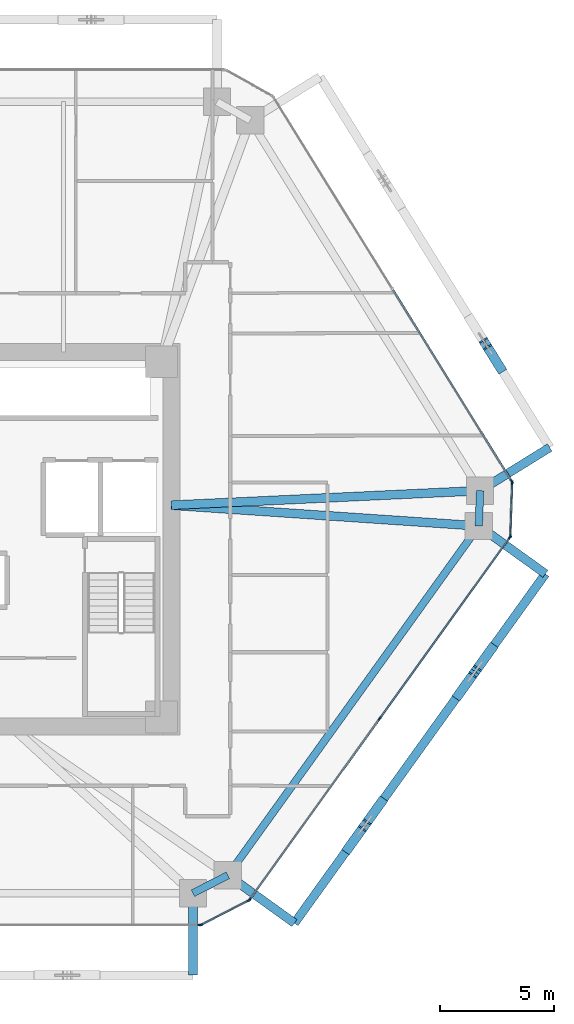
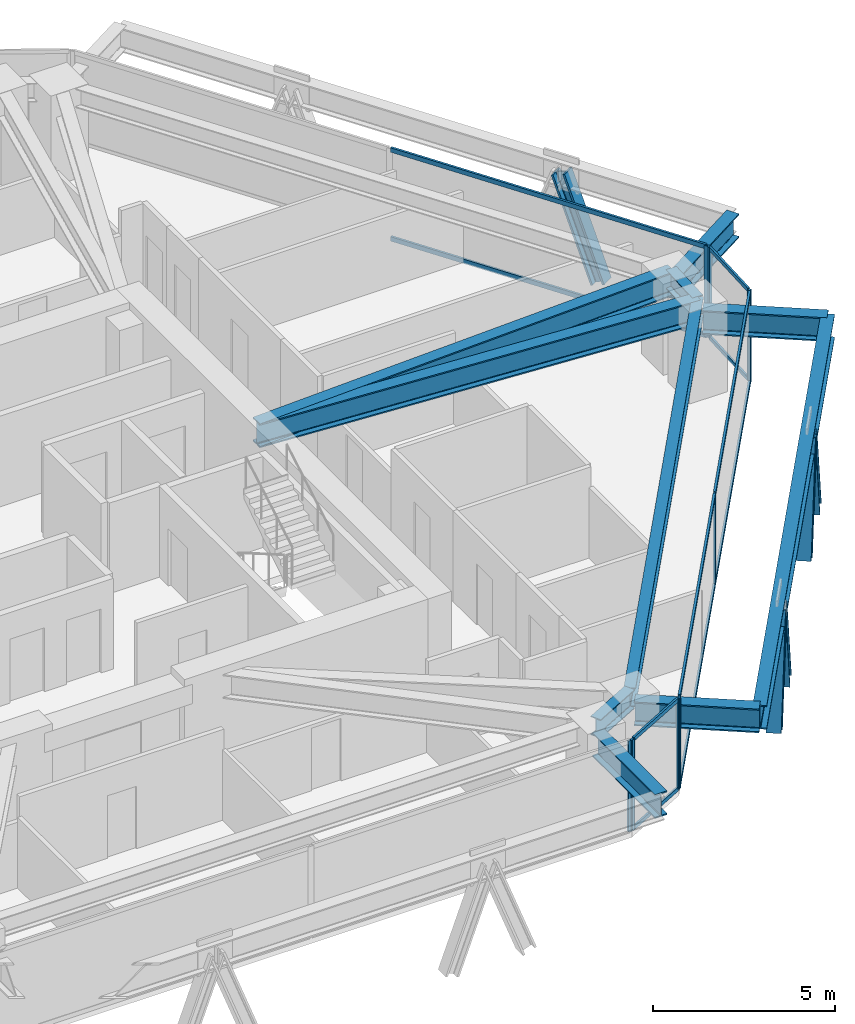
# One storey, part 5 of 16: 24 members, 10 beams, 5 elements without a shape of their own.
"""IFC4 building model written with IfcOpenShell, lengths in metres."""

from ifc_helpers import new_model, si_unit, direction, frame, origin, origin_2d, place, context, subcontext, project, spatial, rectangle, i_section, extrude, source, transform, mapped, material, layer, layer_set, material_profile, profile_set, type_object, type_shapes, element, aggregate, save


model = new_model("IFC4")

# Units and contexts
model_context = context("Model", 3, precision=1e-05, world=origin(), true_north=direction((0.0, 1.0)))
body_context = subcontext(model_context, "Body", "Model", "MODEL_VIEW")
ifc_project = project(units=[si_unit("LENGTHUNIT", "METRE"), si_unit("AREAUNIT", "SQUARE_METRE"), si_unit("VOLUMEUNIT", "CUBIC_METRE"), si_unit("PLANEANGLEUNIT", "RADIAN"), si_unit("MASSUNIT", "GRAM", prefix="KILO")], contexts=[model_context])

# Site, building, storey
site_placement = place(None, origin())
site = spatial("IfcSite", under=ifc_project, at=site_placement, CompositionType="ELEMENT")
building_placement = place(site_placement, origin())
building = spatial("IfcBuilding", under=site, at=building_placement, Name="Durnholm Broadcast Tower", CompositionType="ELEMENT")
storey_placement = place(building_placement, frame((0.0, 0.0, 117.300048828125)))
storey = spatial("IfcBuildingStorey", under=building, at=storey_placement, Name="L31", CompositionType="ELEMENT", Elevation=117.300048828125)

# Beams
ifc_material_1 = material(Name="Steel ASTM A992 Grade 50", Category="steel")
ifc_material_profile_1 = material_profile(ifc_material_1, i_section(OverallWidth=0.385009765625, OverallDepth=0.802978515625, WebThickness=0.023681640625, FlangeThickness=0.0419921875, FilletRadius=0.032958984375, at=origin_2d()), Name="W30X261")
ifc_profile_set_1 = profile_set([ifc_material_profile_1], Name="Steel ASTM A992 Grade 50")
beam_type_1 = type_object("IfcBeamType", Name="BM-EXO-TIE", PredefinedType="USERDEFINED", material=ifc_profile_set_1)
shared_shape_1 = source(origin(), body_context, "Body", "SweptSolid", [
    extrude(i_section(OverallWidth=0.385009765625, OverallDepth=0.802978515625, WebThickness=0.023681640625, FlangeThickness=0.0419921875, FilletRadius=0.032958984375, at=origin_2d()), origin(), (0.0, 0.0, 1.0), 3.4560546875),
])
for number, where, z_axis, x_axis, name in (
    (1, (11.176025390625, -15.680908203125, 2.30859375), (0.0, -1.0, 0.0), (1.0, 0.0, 0.0), "L31 exoskeleton stand-off tie bracket F1.2"),
    (2, (12.826904296875, -14.834228515625, 2.30859375), (0.812164951739, -0.583427880005, 0.0), (0.583427880005, 0.812164951739, 0.0), "L31 exoskeleton stand-off tie bracket F2.1"),
    (3, (23.844970703125, 0.5029296875, 2.30859375), (0.812164951739, -0.583427880005, 0.0), (0.583427880005, 0.812164951739, 0.0), "L31 exoskeleton stand-off tie bracket F2.2"),
    (4, (23.903076171875, 2.21240234375, 2.30859375), (0.849795112316, 0.527113144481, 0.0), (-0.527113144481, 0.849795112316, 0.0), "L31 exoskeleton stand-off tie bracket F3.1"),
):
    element("IfcBeam", number, at=place(storey_placement, frame(where, z_axis=z_axis, x_axis=x_axis)), inside=storey, type_object=beam_type_1, Name=name, ObjectType="GIRDER", PredefinedType="USERDEFINED", context=body_context, shape_type="MappedRepresentation", body=[
        mapped(shared_shape_1, transform((0.0, 0.0, 0.0), x_axis=(1.0, 0.0, 0.0), y_axis=(0.0, 1.0, 0.0), z_axis=(0.0, 0.0, 1.0), scale=1.0)),
    ])
ifc_material_profile_2 = material_profile(ifc_material_1, i_section(OverallWidth=0.3291015625, OverallDepth=0.635009765625, WebThickness=0.017822265625, FlangeThickness=0.031005859375, FilletRadius=0.02783203125, at=origin_2d()), Name="W24X162")
ifc_profile_set_2 = profile_set([ifc_material_profile_2], Name="Steel ASTM A992 Grade 50")
beam_type_2 = type_object("IfcBeamType", Name="STL-SP-W24X162", PredefinedType="SPANDREL", material=ifc_profile_set_2)
shared_shape_2 = source(origin(), body_context, "Body", "SweptSolid", [
    extrude(i_section(OverallWidth=0.3291015625, OverallDepth=0.635009765625, WebThickness=0.017822265625, FlangeThickness=0.031005859375, FilletRadius=0.02783203125, at=origin_2d()), origin(), (0.0, 0.0, 1.0), 18.884521484375),
])
beam_1_placement = place(storey_placement, frame((23.72802734375, 0.5869140625, 2.7275390625), z_axis=(-0.583443434414, -0.812153777827, 0.0), x_axis=(0.812153777827, -0.583443434414, 0.0)))
element("IfcBeam", 5, at=beam_1_placement, inside=storey, type_object=beam_type_2, Name="L31 perimeter spandrel girder 09", PredefinedType="SPANDREL", context=body_context, shape_type="MappedRepresentation", body=[
    mapped(shared_shape_2, transform((0.0, 0.0, 0.0), x_axis=(1.0, 0.0, 0.0), y_axis=(0.0, 1.0, 0.0), z_axis=(0.0, 0.0, 1.0), scale=1.0)),
])
shared_shape_3 = source(origin(), body_context, "Body", "SweptSolid", [
    extrude(i_section(OverallWidth=0.3291015625, OverallDepth=0.635009765625, WebThickness=0.017822265625, FlangeThickness=0.031005859375, FilletRadius=0.02783203125, at=origin_2d()), origin(), (0.0, 0.0, 1.0), 1.723876953125),
])
beam_2_placement = place(storey_placement, frame((12.7099609375, -14.750244140625, 2.7275390625), z_axis=(-0.889762904339, -0.456423020959, 0.0), x_axis=(0.456423020959, -0.889762904339, 0.0)))
element("IfcBeam", 6, at=beam_2_placement, inside=storey, type_object=beam_type_2, Name="L31 perimeter spandrel girder 10", PredefinedType="SPANDREL", context=body_context, shape_type="MappedRepresentation", body=[
    mapped(shared_shape_3, transform((0.0, 0.0, 0.0), x_axis=(1.0, 0.0, 0.0), y_axis=(0.0, 1.0, 0.0), z_axis=(0.0, 0.0, 1.0), scale=1.0)),
])
shared_shape_4 = source(origin(), body_context, "Body", "SweptSolid", [
    extrude(i_section(OverallWidth=0.3291015625, OverallDepth=0.635009765625, WebThickness=0.017822265625, FlangeThickness=0.031005859375, FilletRadius=0.02783203125, at=origin_2d()), origin(), (0.0, 0.0, 1.0), 1.55078125),
])
type_shapes(beam_type_2, [shared_shape_2, shared_shape_3, shared_shape_4])
beam_3_placement = place(storey_placement, frame((23.78076171875, 2.13671875, 2.7275390625), z_axis=(-0.03400678419, -0.999421602042, 0.0), x_axis=(0.999421602042, -0.03400678419, 0.0)))
element("IfcBeam", 7, at=beam_3_placement, inside=storey, type_object=beam_type_2, Name="L31 perimeter spandrel girder 08", PredefinedType="SPANDREL", context=body_context, shape_type="MappedRepresentation", body=[
    mapped(shared_shape_4, transform((0.0, 0.0, 0.0), x_axis=(1.0, 0.0, 0.0), y_axis=(0.0, 1.0, 0.0), z_axis=(0.0, 0.0, 1.0), scale=1.0)),
])
ifc_material_profile_3 = material_profile(ifc_material_1, i_section(OverallWidth=0.385009765625, OverallDepth=0.802978515625, WebThickness=0.023681640625, FlangeThickness=0.0419921875, FilletRadius=0.032958984375, at=origin_2d()), Name="W30X261")
ifc_profile_set_3 = profile_set([ifc_material_profile_3], Name="Steel ASTM A992 Grade 50")
beam_type_3 = type_object("IfcBeamType", Name="STL-GR-W30X261", PredefinedType="USERDEFINED", material=ifc_profile_set_3)
shared_shape_5 = source(origin(), body_context, "Body", "SweptSolid", [
    extrude(i_section(OverallWidth=0.385009765625, OverallDepth=0.802978515625, WebThickness=0.023681640625, FlangeThickness=0.0419921875, FilletRadius=0.032958984375, at=origin_2d()), origin(), (0.0, 0.0, 1.0), 13.570556640625),
])
beam_4_placement = place(storey_placement, frame((10.22509765625, 1.5, 2.6435546875), z_axis=(0.99889869961, 0.046918950518, 0.0), x_axis=(-0.046918950518, 0.99889869961, 0.0)))
element("IfcBeam", 8, at=beam_4_placement, inside=storey, type_object=beam_type_3, Name="L31 radial primary floor girder 08", ObjectType="GIRDER", PredefinedType="USERDEFINED", context=body_context, shape_type="MappedRepresentation", body=[
    mapped(shared_shape_5, transform((0.0, 0.0, 0.0), x_axis=(1.0, 0.0, 0.0), y_axis=(0.0, 1.0, 0.0), z_axis=(0.0, 0.0, 1.0), scale=1.0)),
])
shared_shape_6 = source(origin(), body_context, "Body", "SweptSolid", [
    extrude(i_section(OverallWidth=0.385009765625, OverallDepth=0.802978515625, WebThickness=0.023681640625, FlangeThickness=0.0419921875, FilletRadius=0.032958984375, at=origin_2d()), origin(), (0.0, 0.0, 1.0), 13.53369140625),
])
type_shapes(beam_type_3, [shared_shape_5, shared_shape_6])
beam_5_placement = place(storey_placement, frame((10.22509765625, 1.5, 2.6435546875), z_axis=(0.99772148964, -0.067467244725, 0.0), x_axis=(0.067467244725, 0.99772148964, 0.0)))
element("IfcBeam", 9, at=beam_5_placement, inside=storey, type_object=beam_type_3, Name="L31 radial primary floor girder 09", ObjectType="GIRDER", PredefinedType="USERDEFINED", context=body_context, shape_type="MappedRepresentation", body=[
    mapped(shared_shape_6, transform((0.0, 0.0, 0.0), x_axis=(1.0, 0.0, 0.0), y_axis=(0.0, 1.0, 0.0), z_axis=(0.0, 0.0, 1.0), scale=1.0)),
])
shared_shape_7 = source(origin(), body_context, "Body", "SweptSolid", [
    extrude(i_section(OverallWidth=0.385009765625, OverallDepth=0.802978515625, WebThickness=0.023681640625, FlangeThickness=0.0419921875, FilletRadius=0.032958984375, at=origin_2d()), origin(), (0.0, 0.0, 1.0), 18.884521484375),
])
type_shapes(beam_type_1, [shared_shape_1, shared_shape_7])
beam_6_placement = place(storey_placement, frame((15.6337890625, -16.8505859375, 2.30859375), z_axis=(0.583443434414, 0.812153777827, 0.0), x_axis=(-0.812153777827, 0.583443434414, 0.0)))
element("IfcBeam", 10, at=beam_6_placement, inside=storey, type_object=beam_type_1, Name="L31 exoskeleton collector spandrel F2", PredefinedType="SPANDREL", context=body_context, shape_type="MappedRepresentation", body=[
    mapped(shared_shape_7, transform((0.0, 0.0, 0.0), x_axis=(1.0, 0.0, 0.0), y_axis=(0.0, 1.0, 0.0), z_axis=(0.0, 0.0, 1.0), scale=1.0)),
])

# Members
ifc_material_2 = material(Name="Steel ASTM A913 Grade 65", Category="steel")
ifc_material_profile_4 = material_profile(ifc_material_2, i_section(OverallWidth=0.41845703125, OverallDepth=0.455078125, WebThickness=0.0419921875, FlangeThickness=0.067626953125, FilletRadius=0.030517578125, at=origin_2d()), Name="W14X370")
ifc_profile_set_4 = profile_set([ifc_material_profile_4], Name="Steel ASTM A913 Grade 65")
member_type_1 = type_object("IfcMemberType", Name="STL-DG-W14X370", PredefinedType="BRACE", material=ifc_profile_set_4)
shared_shape_8 = source(origin(), body_context, "Body", "SweptSolid", [
    extrude(i_section(OverallWidth=0.41845703125, OverallDepth=0.455078125, WebThickness=0.0419921875, FlangeThickness=0.067626953125, FilletRadius=0.030517578125, at=origin_2d()), origin(), (0.0, 0.0, 1.0), 3.523193359375),
])
type_shapes(member_type_1, [shared_shape_8])
for number, where, z_axis, x_axis, name in (
    (11, (17.9990234375, -13.558349609375, -0.991455078125), (0.204287819296, 0.284395254542, 0.936688756248), (-0.812179469647, 0.583407669717, 0.0), "L31 stand-off diagrid brace F2.D1.1"),
    (12, (19.438720703125, -11.55419921875, -0.991455078125), (-0.204350195342, -0.284454917557, 0.936657033039), (0.812153063014, -0.583444429434, 0.0), "L31 stand-off diagrid brace F2.D1.2"),
    (13, (22.846923828125, -6.81005859375, -0.991455078125), (0.204350195342, 0.284454917557, 0.936657033039), (-0.812153063014, 0.583444429434, 0.0), "L31 stand-off diagrid brace F2.D2.1"),
    (14, (24.28662109375, -4.805908203125, -0.991455078125), (-0.204287819296, -0.284395254542, 0.936688756248), (0.812179469647, -0.583407669717, 0.0), "L31 stand-off diagrid brace F2.D2.2"),
    (15, (24.66552734375, 7.539794921875, -0.991455078125), (-0.184602835855, 0.297623566065, 0.936665364961), (-0.849805205368, -0.527096872433, 0.0), "L31 stand-off diagrid brace F3.D1.1"),
):
    element("IfcMember", number, at=place(storey_placement, frame(where, z_axis=z_axis, x_axis=x_axis)), inside=storey, type_object=member_type_1, Name=name, PredefinedType="BRACE", context=body_context, shape_type="MappedRepresentation", body=[
        mapped(shared_shape_8, transform((0.0, 0.0, 0.0), x_axis=(1.0, 0.0, 0.0), y_axis=(0.0, 1.0, 0.0), z_axis=(0.0, 0.0, 1.0), scale=1.0)),
    ])

# Curtain wall, members
ifc_material_3 = material(Name="Aluminium and Solar Control IGU", Category="aluminium")
ifc_layer_1 = layer(ifc_material_3, 0.1650390625)
ifc_layer_set_1 = layer_set([ifc_layer_1], Name="Aluminium and Solar Control IGU")
curtain_wall_type_1 = type_object("IfcCurtainWallType", Name="CW-SYS-5", PredefinedType="NOTDEFINED", material=ifc_layer_set_1)
curtain_wall_1_placement = place(storey_placement, origin())
curtain_wall_1 = element("IfcCurtainWall", 16, at=curtain_wall_1_placement, inside=storey, type_object=curtain_wall_type_1, Name="L31 curtain wall CW-CORNER CW-L31-CRN-07", PredefinedType="NOTDEFINED")
ifc_material_4 = material(Name="Aluminium 6063-T6", Category="aluminium")
ifc_material_profile_5 = material_profile(ifc_material_4, rectangle(XDim=0.06494140625, YDim=0.1650390625, at=origin_2d()), Name="CWM65X165")
ifc_profile_set_5 = profile_set([ifc_material_profile_5], Name="Aluminium 6063-T6")
member_type_2 = type_object("IfcMemberType", Name="CW-SYS-5-MUL", PredefinedType="MULLION", material=ifc_profile_set_5)
shared_shape_9 = source(origin(), body_context, "Body", "SweptSolid", [
    extrude(rectangle(XDim=0.06494140625, YDim=0.1650390625, at=origin_2d()), origin(), (0.0, 0.0, 1.0), 3.06005859375),
])
type_shapes(member_type_2, [shared_shape_9])
member_1_placement = place(storey_placement, frame((25.193115234375, 2.481201171875, 0.0), z_axis=(0.0, 0.0, 1.0), x_axis=(0.999424655155, -0.033916937775, 0.0)))
member_1 = element("IfcMember", 17, at=member_1_placement, type_object=member_type_2, Name="CW-CORNER mullion 1", PredefinedType="MULLION", context=body_context, shape_type="MappedRepresentation", body=[
    mapped(shared_shape_9, transform((0.0, 0.0, 0.0), x_axis=(1.0, 0.0, 0.0), y_axis=(0.0, 1.0, 0.0), z_axis=(0.0, 0.0, 1.0), scale=1.0)),
])
member_2_placement = place(storey_placement, frame((25.114013671875, 0.1474609375, 0.0), z_axis=(0.0, 0.0, 1.0), x_axis=(0.999424655155, -0.033916937775, 0.0)))
member_2 = element("IfcMember", 18, at=member_2_placement, type_object=member_type_2, Name="CW-CORNER mullion 2", PredefinedType="MULLION", context=body_context, shape_type="MappedRepresentation", body=[
    mapped(shared_shape_9, transform((0.0, 0.0, 0.0), x_axis=(1.0, 0.0, 0.0), y_axis=(0.0, 1.0, 0.0), z_axis=(0.0, 0.0, 1.0), scale=1.0)),
])

curtain_wall_2_placement = place(storey_placement, origin())
curtain_wall_2 = element("IfcCurtainWall", 19, at=curtain_wall_2_placement, inside=storey, type_object=curtain_wall_type_1, Name="L31 curtain wall CW-CORNER CW-L31-CRN-09", PredefinedType="NOTDEFINED")
member_3_placement = place(storey_placement, frame((13.620849609375, -15.8564453125, 0.0), z_axis=(0.0, 0.0, 1.0), x_axis=(0.45637332267, -0.889788396392, 0.0)))
member_3 = element("IfcMember", 20, at=member_3_placement, type_object=member_type_2, Name="CW-CORNER mullion 1", PredefinedType="MULLION", context=body_context, shape_type="MappedRepresentation", body=[
    mapped(shared_shape_9, transform((0.0, 0.0, 0.0), x_axis=(1.0, 0.0, 0.0), y_axis=(0.0, 1.0, 0.0), z_axis=(0.0, 0.0, 1.0), scale=1.0)),
])
member_4_placement = place(storey_placement, frame((11.543212890625, -16.922119140625, 0.0), z_axis=(0.0, 0.0, 1.0), x_axis=(0.45637332267, -0.889788396392, 0.0)))
member_4 = element("IfcMember", 21, at=member_4_placement, type_object=member_type_2, Name="CW-CORNER mullion 2", PredefinedType="MULLION", context=body_context, shape_type="MappedRepresentation", body=[
    mapped(shared_shape_9, transform((0.0, 0.0, 0.0), x_axis=(1.0, 0.0, 0.0), y_axis=(0.0, 1.0, 0.0), z_axis=(0.0, 0.0, 1.0), scale=1.0)),
])

# Curtain wall, member
ifc_layer_2 = layer(ifc_material_3, 0.18994140625)
ifc_layer_set_2 = layer_set([ifc_layer_2], Name="Aluminium and Solar Control IGU")
curtain_wall_type_2 = type_object("IfcCurtainWallType", Name="CW-SYS-3", PredefinedType="NOTDEFINED", material=ifc_layer_set_2)
curtain_wall_3_placement = place(storey_placement, origin())
curtain_wall_3 = element("IfcCurtainWall", 22, at=curtain_wall_3_placement, inside=storey, type_object=curtain_wall_type_2, Name="L31 curtain wall CW-Z12-VIS CW-L31-F06", PredefinedType="NOTDEFINED")
ifc_material_profile_6 = material_profile(ifc_material_4, rectangle(XDim=0.070068359375, YDim=0.18994140625, at=origin_2d()), Name="CWM70X190")
ifc_profile_set_6 = profile_set([ifc_material_profile_6], Name="Aluminium 6063-T6")
member_type_3 = type_object("IfcMemberType", Name="CW-SYS-3-MUL", PredefinedType="MULLION", material=ifc_profile_set_6)
shared_shape_10 = source(origin(), body_context, "Body", "SweptSolid", [
    extrude(rectangle(XDim=0.070068359375, YDim=0.18994140625, at=origin_2d()), origin(), (0.0, 0.0, 1.0), 3.06005859375),
])
type_shapes(member_type_3, [shared_shape_10])
member_5_placement = place(storey_placement, frame((25.17578125, 2.54345703125, 0.0), z_axis=(0.0, 0.0, 1.0), x_axis=(0.849799925229, 0.527105385176, 0.0)))
member_5 = element("IfcMember", 23, at=member_5_placement, type_object=member_type_3, Name="CW-Z12-VIS mullion 3", PredefinedType="MULLION", context=body_context, shape_type="MappedRepresentation", body=[
    mapped(shared_shape_10, transform((0.0, 0.0, 0.0), x_axis=(1.0, 0.0, 0.0), y_axis=(0.0, 1.0, 0.0), z_axis=(0.0, 0.0, 1.0), scale=1.0)),
])

# Curtain wall, members
curtain_wall_4_placement = place(storey_placement, origin())
curtain_wall_4 = element("IfcCurtainWall", 24, at=curtain_wall_4_placement, inside=storey, type_object=curtain_wall_type_2, Name="L31 curtain wall CW-Z12-VIS CW-L31-F08", PredefinedType="NOTDEFINED")
member_6_placement = place(storey_placement, frame((25.092529296875, 0.086669921875, 0.0), z_axis=(0.0, 0.0, 1.0), x_axis=(0.812152312759, -0.583445473786, 0.0)))
member_6 = element("IfcMember", 25, at=member_6_placement, type_object=member_type_3, Name="CW-Z12-VIS mullion 1", PredefinedType="MULLION", context=body_context, shape_type="MappedRepresentation", body=[
    mapped(shared_shape_10, transform((0.0, 0.0, 0.0), x_axis=(1.0, 0.0, 0.0), y_axis=(0.0, 1.0, 0.0), z_axis=(0.0, 0.0, 1.0), scale=1.0)),
])
member_7_placement = place(storey_placement, frame((19.38134765625, -7.86328125, 0.0), z_axis=(0.0, 0.0, 1.0), x_axis=(0.812152312759, -0.583445473786, 0.0)))
member_7 = element("IfcMember", 26, at=member_7_placement, type_object=member_type_3, Name="CW-Z12-VIS mullion 2", PredefinedType="MULLION", context=body_context, shape_type="MappedRepresentation", body=[
    mapped(shared_shape_10, transform((0.0, 0.0, 0.0), x_axis=(1.0, 0.0, 0.0), y_axis=(0.0, 1.0, 0.0), z_axis=(0.0, 0.0, 1.0), scale=1.0)),
])
member_8_placement = place(storey_placement, frame((13.670166015625, -15.813232421875, 0.0), z_axis=(0.0, 0.0, 1.0), x_axis=(0.812152312759, -0.583445473786, 0.0)))
member_8 = element("IfcMember", 27, at=member_8_placement, type_object=member_type_3, Name="CW-Z12-VIS mullion 3", PredefinedType="MULLION", context=body_context, shape_type="MappedRepresentation", body=[
    mapped(shared_shape_10, transform((0.0, 0.0, 0.0), x_axis=(1.0, 0.0, 0.0), y_axis=(0.0, 1.0, 0.0), z_axis=(0.0, 0.0, 1.0), scale=1.0)),
])

# Curtain wall, member
curtain_wall_5_placement = place(storey_placement, origin())
curtain_wall_5 = element("IfcCurtainWall", 28, at=curtain_wall_5_placement, inside=storey, type_object=curtain_wall_type_2, Name="L31 curtain wall CW-Z12-VIS CW-L31-F10", PredefinedType="NOTDEFINED")
member_9_placement = place(storey_placement, frame((11.479248046875, -16.93701171875, 0.0), z_axis=(0.0, 0.0, 1.0), x_axis=(0.0, -1.0, 0.0)))
member_9 = element("IfcMember", 29, at=member_9_placement, type_object=member_type_3, Name="CW-Z12-VIS mullion 1", PredefinedType="MULLION", context=body_context, shape_type="MappedRepresentation", body=[
    mapped(shared_shape_10, transform((0.0, 0.0, 0.0), x_axis=(1.0, 0.0, 0.0), y_axis=(0.0, 1.0, 0.0), z_axis=(0.0, 0.0, 1.0), scale=1.0)),
])
aggregate(curtain_wall_5, [member_9])

# Member
ifc_material_profile_7 = material_profile(ifc_material_4, rectangle(XDim=0.06494140625, YDim=0.1298828125, at=origin_2d()), Name="CWT65X130")
ifc_profile_set_7 = profile_set([ifc_material_profile_7], Name="Aluminium 6063-T6")
member_type_4 = type_object("IfcMemberType", Name="CW-SYS-5-TRN", PredefinedType="USERDEFINED", material=ifc_profile_set_7)
shared_shape_11 = source(origin(), body_context, "Body", "SweptSolid", [
    extrude(rectangle(XDim=0.06494140625, YDim=0.1298828125, at=origin_2d()), origin(), (0.0, 0.0, 1.0), 2.27001953125),
])
type_shapes(member_type_4, [shared_shape_11])
member_10_placement = place(storey_placement, frame((25.192138671875, 2.44873046875, 0.032470703125), z_axis=(-0.03398444704, -0.999422361847, 0.0), x_axis=(0.999422361847, -0.03398444704, 0.0)))
member_10 = element("IfcMember", 30, at=member_10_placement, type_object=member_type_4, Name="CW-CORNER transom 1.1", ObjectType="TRANSOM", PredefinedType="USERDEFINED", context=body_context, shape_type="MappedRepresentation", body=[
    mapped(shared_shape_11, transform((0.0, 0.0, 0.0), x_axis=(1.0, 0.0, 0.0), y_axis=(0.0, 1.0, 0.0), z_axis=(0.0, 0.0, 1.0), scale=1.0)),
])

member_11_placement = place(storey_placement, frame((25.192138671875, 2.44873046875, 3.02734375), z_axis=(-0.03398444704, -0.999422361847, 0.0), x_axis=(0.999422361847, -0.03398444704, 0.0)))
member_11 = element("IfcMember", 31, at=member_11_placement, type_object=member_type_4, Name="CW-CORNER transom 1.2", ObjectType="TRANSOM", PredefinedType="USERDEFINED", context=body_context, shape_type="MappedRepresentation", body=[
    mapped(shared_shape_11, transform((0.0, 0.0, 0.0), x_axis=(1.0, 0.0, 0.0), y_axis=(0.0, 1.0, 0.0), z_axis=(0.0, 0.0, 1.0), scale=1.0)),
])

aggregate(curtain_wall_1, [member_1, member_2, member_10, member_11])

member_12_placement = place(storey_placement, frame((13.591796875, -15.871337890625, 0.032470703125), z_axis=(-0.889798425843, -0.456353767781, 0.0), x_axis=(0.456353767781, -0.889798425843, 0.0)))
member_12 = element("IfcMember", 32, at=member_12_placement, type_object=member_type_4, Name="CW-CORNER transom 1.1", ObjectType="TRANSOM", PredefinedType="USERDEFINED", context=body_context, shape_type="MappedRepresentation", body=[
    mapped(shared_shape_11, transform((0.0, 0.0, 0.0), x_axis=(1.0, 0.0, 0.0), y_axis=(0.0, 1.0, 0.0), z_axis=(0.0, 0.0, 1.0), scale=1.0)),
])

member_13_placement = place(storey_placement, frame((13.591796875, -15.871337890625, 3.02734375), z_axis=(-0.889798425843, -0.456353767781, 0.0), x_axis=(0.456353767781, -0.889798425843, 0.0)))
member_13 = element("IfcMember", 33, at=member_13_placement, type_object=member_type_4, Name="CW-CORNER transom 1.2", ObjectType="TRANSOM", PredefinedType="USERDEFINED", context=body_context, shape_type="MappedRepresentation", body=[
    mapped(shared_shape_11, transform((0.0, 0.0, 0.0), x_axis=(1.0, 0.0, 0.0), y_axis=(0.0, 1.0, 0.0), z_axis=(0.0, 0.0, 1.0), scale=1.0)),
])

aggregate(curtain_wall_2, [member_3, member_4, member_12, member_13])

ifc_material_profile_8 = material_profile(ifc_material_4, rectangle(XDim=0.070068359375, YDim=0.14990234375, at=origin_2d()), Name="CWT70X150")
ifc_profile_set_8 = profile_set([ifc_material_profile_8], Name="Aluminium 6063-T6")
member_type_5 = type_object("IfcMemberType", Name="CW-SYS-3-TRN", PredefinedType="USERDEFINED", material=ifc_profile_set_8)
shared_shape_12 = source(origin(), body_context, "Body", "SweptSolid", [
    extrude(rectangle(XDim=0.070068359375, YDim=0.14990234375, at=origin_2d()), origin(), (0.0, 0.0, 1.0), 9.71875),
])
member_14_placement = place(storey_placement, frame((25.072021484375, 0.05810546875, 0.034912109375), z_axis=(-0.583450726174, -0.812148539448, 0.0), x_axis=(0.812148539448, -0.583450726174, 0.0)))
member_14 = element("IfcMember", 34, at=member_14_placement, type_object=member_type_5, Name="CW-Z12-VIS transom 1.1", ObjectType="TRANSOM", PredefinedType="USERDEFINED", context=body_context, shape_type="MappedRepresentation", body=[
    mapped(shared_shape_12, transform((0.0, 0.0, 0.0), x_axis=(1.0, 0.0, 0.0), y_axis=(0.0, 1.0, 0.0), z_axis=(0.0, 0.0, 1.0), scale=1.0)),
])

member_15_placement = place(storey_placement, frame((25.072021484375, 0.05810546875, 3.02490234375), z_axis=(-0.583450726174, -0.812148539448, 0.0), x_axis=(0.812148539448, -0.583450726174, 0.0)))
member_15 = element("IfcMember", 35, at=member_15_placement, type_object=member_type_5, Name="CW-Z12-VIS transom 1.2", ObjectType="TRANSOM", PredefinedType="USERDEFINED", context=body_context, shape_type="MappedRepresentation", body=[
    mapped(shared_shape_12, transform((0.0, 0.0, 0.0), x_axis=(1.0, 0.0, 0.0), y_axis=(0.0, 1.0, 0.0), z_axis=(0.0, 0.0, 1.0), scale=1.0)),
])

member_16_placement = place(storey_placement, frame((19.36083984375, -7.891845703125, 0.034912109375), z_axis=(-0.583450726174, -0.812148539448, 0.0), x_axis=(0.812148539448, -0.583450726174, 0.0)))
member_16 = element("IfcMember", 36, at=member_16_placement, type_object=member_type_5, Name="CW-Z12-VIS transom 2.1", ObjectType="TRANSOM", PredefinedType="USERDEFINED", context=body_context, shape_type="MappedRepresentation", body=[
    mapped(shared_shape_12, transform((0.0, 0.0, 0.0), x_axis=(1.0, 0.0, 0.0), y_axis=(0.0, 1.0, 0.0), z_axis=(0.0, 0.0, 1.0), scale=1.0)),
])

member_17_placement = place(storey_placement, frame((19.36083984375, -7.891845703125, 3.02490234375), z_axis=(-0.583450726174, -0.812148539448, 0.0), x_axis=(0.812148539448, -0.583450726174, 0.0)))
member_17 = element("IfcMember", 37, at=member_17_placement, type_object=member_type_5, Name="CW-Z12-VIS transom 2.2", ObjectType="TRANSOM", PredefinedType="USERDEFINED", context=body_context, shape_type="MappedRepresentation", body=[
    mapped(shared_shape_12, transform((0.0, 0.0, 0.0), x_axis=(1.0, 0.0, 0.0), y_axis=(0.0, 1.0, 0.0), z_axis=(0.0, 0.0, 1.0), scale=1.0)),
])

aggregate(curtain_wall_4, [member_6, member_7, member_8, member_14, member_15, member_16, member_17])

shared_shape_13 = source(origin(), body_context, "Body", "SweptSolid", [
    extrude(rectangle(XDim=0.070068359375, YDim=0.14990234375, at=origin_2d()), origin(), (0.0, 0.0, 1.0), 9.859130859375),
])
type_shapes(member_type_5, [shared_shape_12, shared_shape_13])
member_18_placement = place(storey_placement, frame((19.960693359375, 10.951171875, 0.034912109375), z_axis=(0.527108872232, -0.849797762303, 0.0), x_axis=(0.849797762303, 0.527108872232, 0.0)))
member_18 = element("IfcMember", 38, at=member_18_placement, type_object=member_type_5, Name="CW-Z12-VIS transom 2.1", ObjectType="TRANSOM", PredefinedType="USERDEFINED", context=body_context, shape_type="MappedRepresentation", body=[
    mapped(shared_shape_13, transform((0.0, 0.0, 0.0), x_axis=(1.0, 0.0, 0.0), y_axis=(0.0, 1.0, 0.0), z_axis=(0.0, 0.0, 1.0), scale=1.0)),
])

member_19_placement = place(storey_placement, frame((19.960693359375, 10.951171875, 3.02490234375), z_axis=(0.527108872232, -0.849797762303, 0.0), x_axis=(0.849797762303, 0.527108872232, 0.0)))
member_19 = element("IfcMember", 39, at=member_19_placement, type_object=member_type_5, Name="CW-Z12-VIS transom 2.2", ObjectType="TRANSOM", PredefinedType="USERDEFINED", context=body_context, shape_type="MappedRepresentation", body=[
    mapped(shared_shape_13, transform((0.0, 0.0, 0.0), x_axis=(1.0, 0.0, 0.0), y_axis=(0.0, 1.0, 0.0), z_axis=(0.0, 0.0, 1.0), scale=1.0)),
])

aggregate(curtain_wall_3, [member_5, member_18, member_19])

save(model, "model.ifc")
